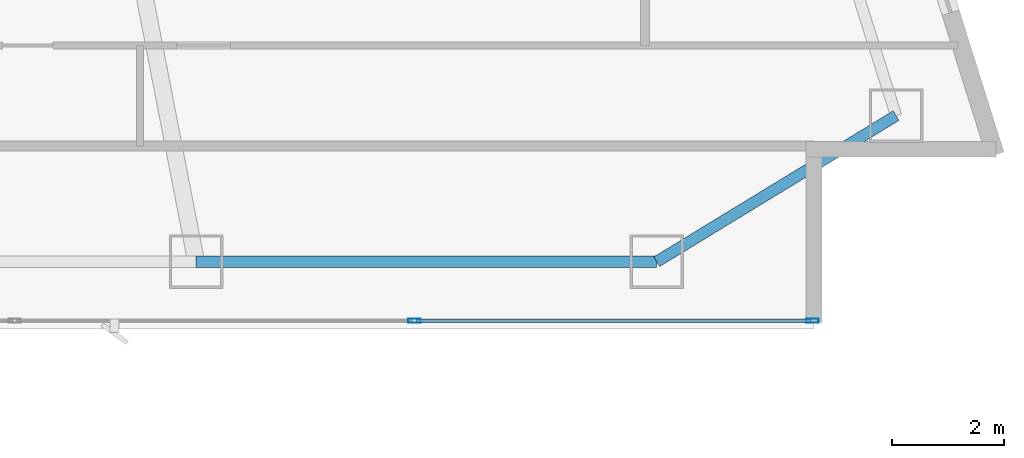
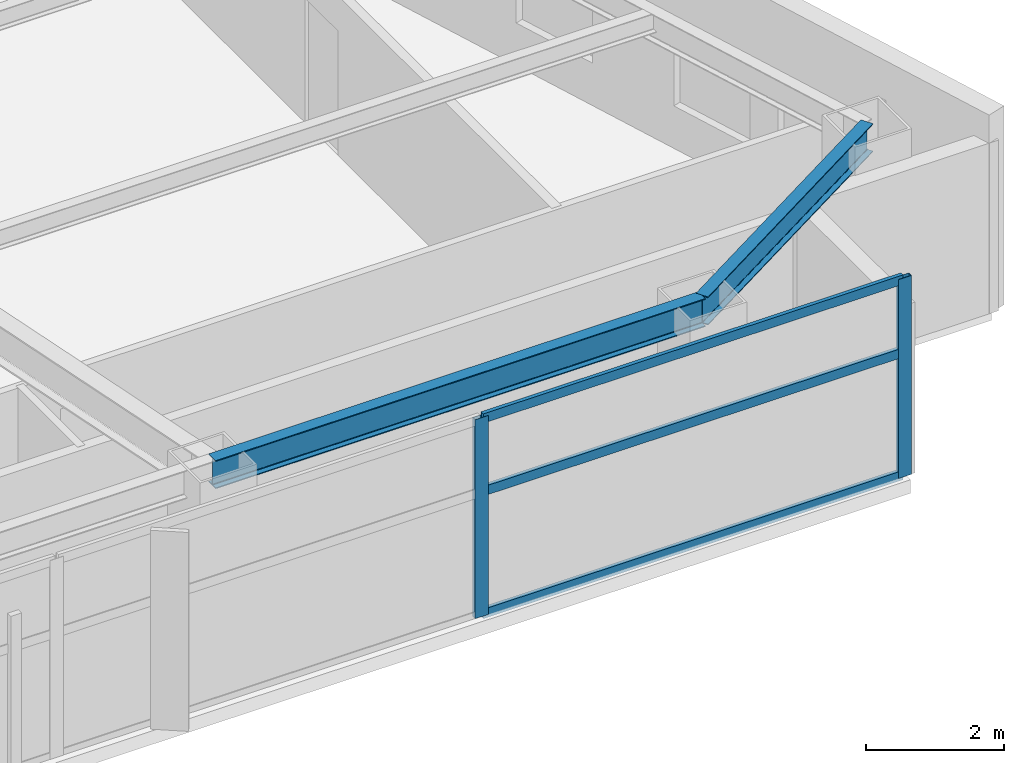
# One storey, part 13 of 28: 5 members, 2 beams, 1 element without a shape of its own.
"""IFC4 building model written with IfcOpenShell, lengths in metres."""

from ifc_helpers import new_model, si_unit, direction, frame, origin, origin_2d, place, context, subcontext, project, spatial, hollow_rectangle, i_section, extrude, material, layer, layer_set, material_profile, profile_set, type_object, element, aggregate, save


model = new_model("IFC4")

# Units and contexts
model_context = context("Model", 3, precision=1e-05, world=origin(), true_north=direction((0.0, 1.0)))
body_context = subcontext(model_context, "Body", "Model", "MODEL_VIEW")
ifc_project = project(units=[si_unit("LENGTHUNIT", "METRE"), si_unit("AREAUNIT", "SQUARE_METRE"), si_unit("VOLUMEUNIT", "CUBIC_METRE"), si_unit("PLANEANGLEUNIT", "RADIAN"), si_unit("MASSUNIT", "GRAM", prefix="KILO")], contexts=[model_context])

# Site, building, storey
site_placement = place(None, origin())
site = spatial("IfcSite", under=ifc_project, at=site_placement, CompositionType="ELEMENT")
building_placement = place(site_placement, origin())
building = spatial("IfcBuilding", under=site, at=building_placement, Name="Calvorn Quay Hotel", CompositionType="ELEMENT")
storey_placement = place(building_placement, frame((0.0, 0.0, 88.800048828125)))
storey = spatial("IfcBuildingStorey", under=building, at=storey_placement, Name="L21", CompositionType="ELEMENT", Elevation=88.800048828125)

# Beams
ifc_material_1 = material(Name="Steel Q355B", Category="steel")
ifc_material_profile_1 = material_profile(ifc_material_1, i_section(OverallWidth=0.199951171875, OverallDepth=0.5, WebThickness=0.010009765625, FlangeThickness=0.01611328125, FilletRadius=0.01611328125, at=origin_2d()), Name="HN500x200x10x16")
ifc_profile_set_1 = profile_set([ifc_material_profile_1], Name="Steel Q355B")
beam_type = type_object("IfcBeamType", Name="BM-SPANDREL-Z1", PredefinedType="SPANDREL", material=ifc_profile_set_1)
beam_1_placement = place(storey_placement, frame((49.39990234375, 3.60009765625, 3.27001953125), z_axis=(1.0, 0.0, 0.0), x_axis=(0.0, 1.0, 0.0)))
element("IfcBeam", 1, at=beam_1_placement, inside=storey, type_object=beam_type, Name="Beam BSP-L21-S6", PredefinedType="SPANDREL", context=body_context, shape_type="SweptSolid", body=[
    extrude(i_section(OverallWidth=0.199951171875, OverallDepth=0.5, WebThickness=0.010009765625, FlangeThickness=0.01611328125, FilletRadius=0.01611328125, at=origin_2d()), origin(), (0.0, 0.0, 1.0), 8.2001953125),
])
beam_2_placement = place(storey_placement, frame((57.60009765625, 3.60009765625, 3.27001953125), z_axis=(0.853645546466, 0.520854376, 0.0), x_axis=(-0.520854376, 0.853645546466, 0.0)))
element("IfcBeam", 2, at=beam_2_placement, inside=storey, type_object=beam_type, Name="Beam BSP-L21-S7", PredefinedType="SPANDREL", context=body_context, shape_type="SweptSolid", body=[
    extrude(i_section(OverallWidth=0.199951171875, OverallDepth=0.5, WebThickness=0.010009765625, FlangeThickness=0.01611328125, FilletRadius=0.01611328125, at=origin_2d()), origin(), (0.0, 0.0, 1.0), 4.991455078125),
])

# Curtain wall, members
ifc_material_2 = material(Name="Pale Anodised Aluminium and Low-E Glass", Category="aluminium")
ifc_layer = layer(ifc_material_2, 0.219970703125)
ifc_layer_set = layer_set([ifc_layer], Name="CW-SYS-Z1")
curtain_wall_type = type_object("IfcCurtainWallType", Name="CW-SYS-Z1", PredefinedType="NOTDEFINED", material=ifc_layer_set)
curtain_wall_placement = place(storey_placement, origin())
curtain_wall = element("IfcCurtainWall", 3, at=curtain_wall_placement, inside=storey, type_object=curtain_wall_type, Name="Tower South Waterfront Curtain Wall (L21)", PredefinedType="NOTDEFINED")
ifc_material_3 = material(Name="Pale Anodised Aluminium 6063-T6", Category="aluminium")
ifc_material_profile_2 = material_profile(ifc_material_3, hollow_rectangle(XDim=0.074951171875, YDim=0.219970703125, WallThickness=0.00439453125, at=origin_2d()), Name="ALU-M220x75x4.5")
ifc_profile_set_2 = profile_set([ifc_material_profile_2], Name="Pale Anodised Aluminium 6063-T6")
member_type_1 = type_object("IfcMemberType", Name="CW-SYS-Z1-MUL", PredefinedType="MULLION", material=ifc_profile_set_2)
member_1_placement = place(storey_placement, frame((53.28564453125, 2.550048828125, 0.0), z_axis=(0.0, 0.0, 1.0), x_axis=(0.0, 1.0, 0.0)))
member_1 = element("IfcMember", 4, at=member_1_placement, type_object=member_type_1, Name="CW-L21-S mullion 7", PredefinedType="MULLION", context=body_context, shape_type="SweptSolid", body=[
    extrude(hollow_rectangle(XDim=0.074951171875, YDim=0.219970703125, WallThickness=0.00439453125, at=origin_2d()), origin(), (0.0, 0.0, 1.0), 3.52001953125),
])
member_2_placement = place(storey_placement, frame((60.3701171875, 2.550048828125, 0.0), z_axis=(0.0, 0.0, 1.0), x_axis=(0.0, 1.0, 0.0)))
member_2 = element("IfcMember", 5, at=member_2_placement, type_object=member_type_1, Name="CW-L21-S mullion 8", PredefinedType="MULLION", context=body_context, shape_type="SweptSolid", body=[
    extrude(hollow_rectangle(XDim=0.074951171875, YDim=0.219970703125, WallThickness=0.00439453125, at=origin_2d()), origin(), (0.0, 0.0, 1.0), 3.52001953125),
])
ifc_material_4 = material(Name="Pale Anodised Aluminium 6063-T6", Category="aluminium")
ifc_material_profile_3 = material_profile(ifc_material_4, hollow_rectangle(XDim=0.06494140625, YDim=0.1650390625, WallThickness=0.00341796875, at=origin_2d()), Name="ALU-T165x65x3.5")
ifc_profile_set_3 = profile_set([ifc_material_profile_3], Name="Pale Anodised Aluminium 6063-T6")
member_type_2 = type_object("IfcMemberType", Name="CW-SYS-Z1-TRN", PredefinedType="USERDEFINED", material=ifc_profile_set_3)
member_3_placement = place(storey_placement, frame((53.315673828125, 2.550048828125, 0.030029296875), z_axis=(1.0, 0.0, 0.0), x_axis=(0.0, 1.0, 0.0)))
member_3 = element("IfcMember", 6, at=member_3_placement, type_object=member_type_2, Name="CW-L21-S transom 7.1", ObjectType="TRANSOM", PredefinedType="USERDEFINED", context=body_context, shape_type="SweptSolid", body=[
    extrude(hollow_rectangle(XDim=0.06494140625, YDim=0.1650390625, WallThickness=0.00341796875, at=origin_2d()), origin(), (0.0, 0.0, 1.0), 7.0244140625),
])
member_4_placement = place(storey_placement, frame((53.315673828125, 2.550048828125, 2.199951171875), z_axis=(1.0, 0.0, 0.0), x_axis=(0.0, 1.0, 0.0)))
member_4 = element("IfcMember", 7, at=member_4_placement, type_object=member_type_2, Name="CW-L21-S transom 7.2", ObjectType="TRANSOM", PredefinedType="USERDEFINED", context=body_context, shape_type="SweptSolid", body=[
    extrude(hollow_rectangle(XDim=0.06494140625, YDim=0.1650390625, WallThickness=0.00341796875, at=origin_2d()), origin(), (0.0, 0.0, 1.0), 7.0244140625),
])
member_5_placement = place(storey_placement, frame((53.315673828125, 2.550048828125, 3.489990234375), z_axis=(1.0, 0.0, 0.0), x_axis=(0.0, 1.0, 0.0)))
member_5 = element("IfcMember", 8, at=member_5_placement, type_object=member_type_2, Name="CW-L21-S transom 7.3", ObjectType="TRANSOM", PredefinedType="USERDEFINED", context=body_context, shape_type="SweptSolid", body=[
    extrude(hollow_rectangle(XDim=0.06494140625, YDim=0.1650390625, WallThickness=0.00341796875, at=origin_2d()), origin(), (0.0, 0.0, 1.0), 7.0244140625),
])
aggregate(curtain_wall, [member_1, member_2, member_3, member_4, member_5])

save(model, "model.ifc")
